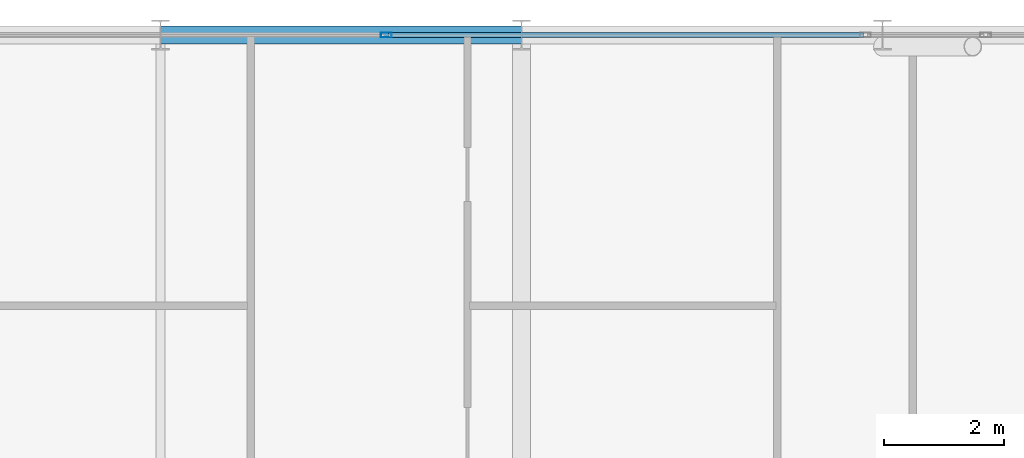
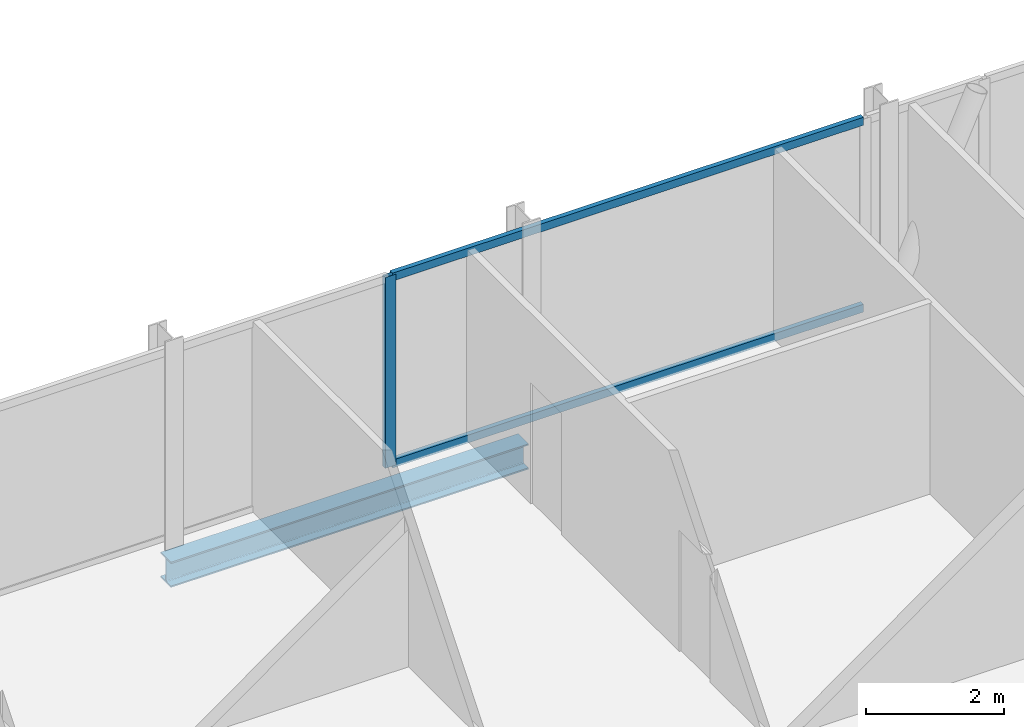
# One storey, part 18 of 32: 3 members, 1 beam, 1 element without a shape of its own.
"""IFC4 building model written with IfcOpenShell, lengths in metres."""

from ifc_helpers import new_model, si_unit, direction, frame, origin, origin_2d, place, context, subcontext, project, spatial, hollow_rectangle, i_section, extrude, material, layer, layer_set, material_profile, profile_set, type_object, element, aggregate, save


model = new_model("IFC4")

# Units and contexts
model_context = context("Model", 3, precision=1e-05, world=origin(), true_north=direction((0.0, 1.0)))
body_context = subcontext(model_context, "Body", "Model", "MODEL_VIEW")
ifc_project = project(units=[si_unit("LENGTHUNIT", "METRE"), si_unit("AREAUNIT", "SQUARE_METRE"), si_unit("VOLUMEUNIT", "CUBIC_METRE"), si_unit("PLANEANGLEUNIT", "RADIAN"), si_unit("MASSUNIT", "GRAM", prefix="KILO")], contexts=[model_context])

# Site, building, storey
site_placement = place(None, origin())
site = spatial("IfcSite", under=ifc_project, at=site_placement, CompositionType="ELEMENT")
building_placement = place(site_placement, origin())
building = spatial("IfcBuilding", under=site, at=building_placement, Name="Keshet Zoharim Tower", CompositionType="ELEMENT")
storey_placement = place(building_placement, frame((0.0, 0.0, 152.0)))
storey = spatial("IfcBuildingStorey", under=building, at=storey_placement, Name="L37", CompositionType="ELEMENT", Elevation=152.0)

# Beam
ifc_material_1 = material(Name="Steel S355", Category="steel")
ifc_material_profile_1 = material_profile(ifc_material_1, i_section(OverallWidth=0.300048828125, OverallDepth=0.449951171875, WebThickness=0.013916015625, FlangeThickness=0.02587890625, FilletRadius=0.027099609375, at=origin_2d()), Name="HEB450")
ifc_profile_set_1 = profile_set([ifc_material_profile_1], Name="Steel S355")
beam_type = type_object("IfcBeamType", Name="BM-WEB-HB450", PredefinedType="BEAM", material=ifc_profile_set_1)
beam_placement = place(storey_placement, frame((27.0, 53.89990234375, -0.5400390625), z_axis=(1.0, 0.0, 0.0), x_axis=(0.0, 1.0, 0.0)))
element("IfcBeam", 1, at=beam_placement, inside=storey, type_object=beam_type, Name="L37 Primary Girder X-021", PredefinedType="BEAM", context=body_context, shape_type="SweptSolid", body=[
    extrude(i_section(OverallWidth=0.300048828125, OverallDepth=0.449951171875, WebThickness=0.013916015625, FlangeThickness=0.02587890625, FilletRadius=0.027099609375, at=origin_2d()), origin(), (0.0, 0.0, 1.0), 6.0),
])

# Curtain wall, members
ifc_material_2 = material(Name="Aluminium 6063-T6", Category="aluminium")
ifc_layer = layer(ifc_material_2, 0.159912109375)
ifc_layer_set = layer_set([ifc_layer], Name="Aluminium 6063-T6")
curtain_wall_type = type_object("IfcCurtainWallType", Name="CW-SYS-03", PredefinedType="NOTDEFINED", material=ifc_layer_set)
curtain_wall_placement = place(storey_placement, origin())
curtain_wall = element("IfcCurtainWall", 2, at=curtain_wall_placement, inside=storey, type_object=curtain_wall_type, Name="L37 Unitised Curtain Wall 13 Part 3", PredefinedType="NOTDEFINED")
ifc_material_profile_2 = material_profile(ifc_material_2, hollow_rectangle(XDim=0.080078125, YDim=0.179931640625, WallThickness=0.00439453125, at=origin_2d()), Name="MUL-80x180")
ifc_profile_set_2 = profile_set([ifc_material_profile_2], Name="Aluminium 6063-T6")
member_type_1 = type_object("IfcMemberType", Name="CWM-M18", PredefinedType="MULLION", material=ifc_profile_set_2)
member_1_placement = place(storey_placement, frame((30.75, 53.89990234375, 0.0), z_axis=(0.0, 0.0, 1.0), x_axis=(0.0, 1.0, 0.0)))
member_1 = element("IfcMember", 3, at=member_1_placement, type_object=member_type_1, Name="CW-03 mullion 2", PredefinedType="MULLION", context=body_context, shape_type="SweptSolid", body=[
    extrude(hollow_rectangle(XDim=0.080078125, YDim=0.179931640625, WallThickness=0.00439453125, at=origin_2d()), origin(), (0.0, 0.0, 1.0), 3.385009765625),
])
ifc_material_profile_3 = material_profile(ifc_material_2, hollow_rectangle(XDim=0.080078125, YDim=0.139892578125, WallThickness=0.00390625, at=origin_2d()), Name="TRN-80x140")
ifc_profile_set_3 = profile_set([ifc_material_profile_3], Name="Aluminium 6063-T6")
member_type_2 = type_object("IfcMemberType", Name="CWT-T14", PredefinedType="USERDEFINED", material=ifc_profile_set_3)
member_2_placement = place(storey_placement, frame((30.784912109375, 53.89990234375, 0.034912109375), z_axis=(1.0, 0.0, 0.0), x_axis=(0.0, 1.0, 0.0)))
member_2 = element("IfcMember", 4, at=member_2_placement, type_object=member_type_2, Name="CW-03 transom 2.1", ObjectType="TRANSOM", PredefinedType="USERDEFINED", context=body_context, shape_type="SweptSolid", body=[
    extrude(hollow_rectangle(XDim=0.080078125, YDim=0.139892578125, WallThickness=0.00390625, at=origin_2d()), origin(), (0.0, 0.0, 1.0), 7.89697265625),
])
member_3_placement = place(storey_placement, frame((30.784912109375, 53.89990234375, 3.35009765625), z_axis=(1.0, 0.0, 0.0), x_axis=(0.0, 1.0, 0.0)))
member_3 = element("IfcMember", 5, at=member_3_placement, type_object=member_type_2, Name="CW-03 transom 2.2", ObjectType="TRANSOM", PredefinedType="USERDEFINED", context=body_context, shape_type="SweptSolid", body=[
    extrude(hollow_rectangle(XDim=0.080078125, YDim=0.139892578125, WallThickness=0.00390625, at=origin_2d()), origin(), (0.0, 0.0, 1.0), 7.89697265625),
])
aggregate(curtain_wall, [member_1, member_2, member_3])

save(model, "model.ifc")
